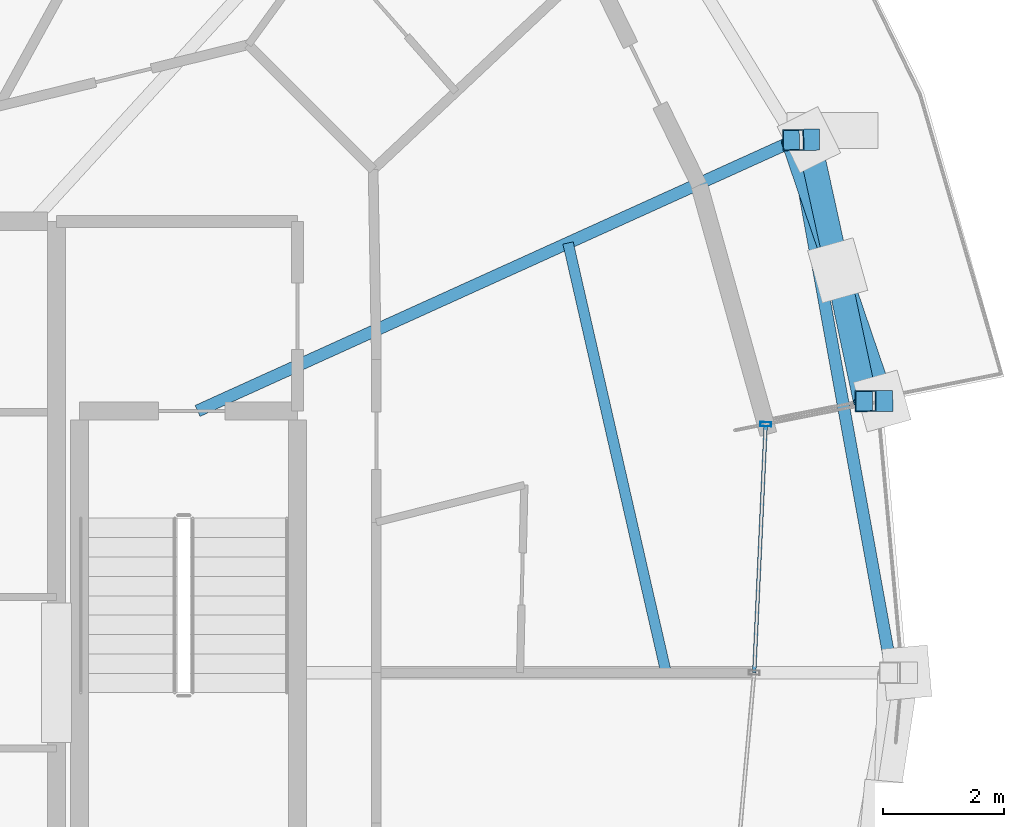
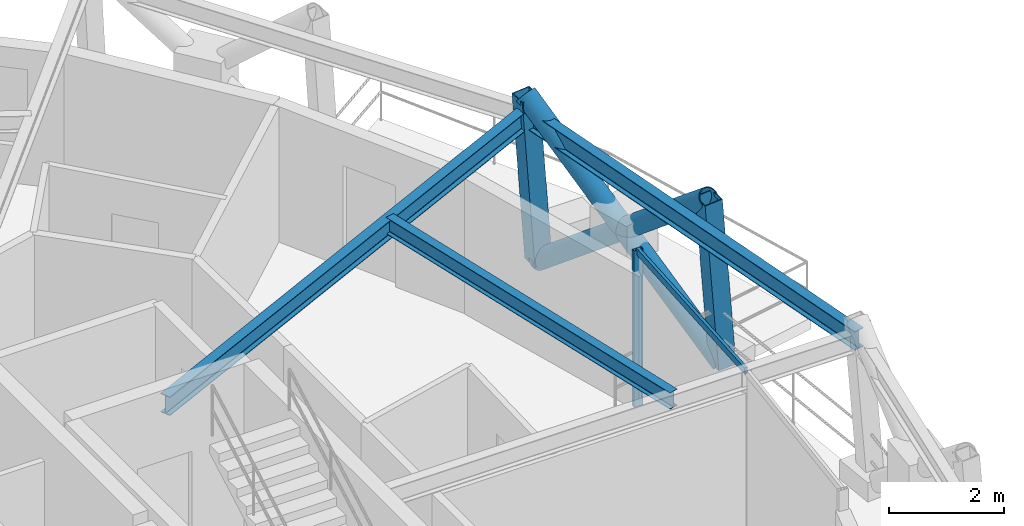
# One storey, part 4 of 12: 7 members, 3 beams, 1 element without a shape of its own.
"""IFC4 building model written with IfcOpenShell, lengths in metres."""

import ifcopenshell
import ifcopenshell.guid

model = None  # the IFC model being written
_history = None  # IfcOwnerHistory: only IFC2X3 demands one
_inside = {}  # id of a spatial element -> (the spatial element, [elements in it])
_under = {}  # id of a project, library or spatial element -> (it, [spatial elements below it])
_declared = {}  # id of a project -> (the project, [libraries it declares])
_typed = {}  # id of a type object -> (the type object, [elements of that type])
_made_of = {}  # id of a material, layer set ... -> (it, [elements and type objects made of it])


def new_model(schema):
    """Start an empty IFC model of exactly this schema.

    Asked for "IFC4X3", IfcOpenShell would pick the latest addendum, in which some entities
    have other attributes; the version numbers below select the first issue.
    IFC2X3 requires an IfcOwnerHistory on every rooted entity: one is made here for all.
    """
    global model, _history
    if schema == "IFC4X3":
        model = ifcopenshell.file(schema_version=(4, 3, 0, 0))
    else:
        model = ifcopenshell.file(schema=schema)
    _inside.clear()
    _under.clear()
    _declared.clear()
    _typed.clear()
    _made_of.clear()
    _history = None
    if model.schema == "IFC2X3":
        org = make("IfcOrganization", Name="unknown")
        user = make(
            "IfcPersonAndOrganization",
            ThePerson=make("IfcPerson", FamilyName="unknown"),
            TheOrganization=org,
        )
        app = make(
            "IfcApplication",
            ApplicationDeveloper=org,
            Version="unknown",
            ApplicationFullName="unknown",
            ApplicationIdentifier="unknown",
        )
        _history = make(
            "IfcOwnerHistory",
            OwningUser=user,
            OwningApplication=app,
            ChangeAction="ADDED",
            CreationDate=0,
        )
    return model


def make(cls, **values):
    """One entity of the class cls with the attributes given. An attribute that is None is left unset."""
    return model.create_entity(
        cls, **{name: value for name, value in values.items() if value is not None}
    )


def rooted(cls, **values):
    """An entity with a GlobalId (a new one), such as an element, a storey or a relation."""
    return make(cls, GlobalId=ifcopenshell.guid.new(), OwnerHistory=_history, **values)


def si_unit(unit_type, name, prefix=None):
    """IfcSIUnit, for example si_unit("LENGTHUNIT", "METRE", prefix="MILLI")."""
    return make("IfcSIUnit", UnitType=unit_type, Prefix=prefix, Name=name)


def assignment(units):
    """IfcUnitAssignment: the units of a project."""
    return None if units is None else make("IfcUnitAssignment", Units=units)


def point(xyz):
    """IfcCartesianPoint."""
    return None if xyz is None else make("IfcCartesianPoint", Coordinates=xyz)


def direction(xyz):
    """IfcDirection."""
    return None if xyz is None else make("IfcDirection", DirectionRatios=xyz)


def frame(location, z_axis=None, x_axis=None):
    """IfcAxis2Placement3D, a coordinate frame: its origin and axes. An axis left out is left unset."""
    return make(
        "IfcAxis2Placement3D",
        Location=point(location),
        Axis=direction(z_axis),
        RefDirection=direction(x_axis),
    )


def frame_2d(location, x_axis=None):
    """IfcAxis2Placement2D, a coordinate frame in the plane: its origin and x axis."""
    return make(
        "IfcAxis2Placement2D", Location=point(location), RefDirection=direction(x_axis)
    )


def origin():
    """The frame at (0, 0, 0) with its axes left unset."""
    return frame((0.0, 0.0, 0.0))


def origin_2d():
    """The frame at (0, 0) in the plane with its x axis left unset."""
    return frame_2d((0.0, 0.0))


def place(relative_to, where):
    """IfcLocalPlacement: puts the frame where relative to a parent placement (None: the world)."""
    return make(
        "IfcLocalPlacement", PlacementRelTo=relative_to, RelativePlacement=where
    )


def context(
    kind, dimensions, precision=None, world=None, true_north=None, identifier=None
):
    """IfcGeometricRepresentationContext, for example the 3D "Model" context."""
    return make(
        "IfcGeometricRepresentationContext",
        ContextIdentifier=identifier,
        ContextType=kind,
        CoordinateSpaceDimension=dimensions,
        Precision=precision,
        WorldCoordinateSystem=world,
        TrueNorth=true_north,
    )


def subcontext(parent, identifier, kind, view, scale=None):
    """IfcGeometricRepresentationSubContext, for example "Body" below "Model"."""
    return make(
        "IfcGeometricRepresentationSubContext",
        ContextIdentifier=identifier,
        ContextType=kind,
        ParentContext=parent,
        TargetScale=scale,
        TargetView=view,
    )


def project(units=None, contexts=None):
    """IfcProject with its units and contexts."""
    return rooted(
        "IfcProject",
        Name="project",
        RepresentationContexts=contexts,
        UnitsInContext=assignment(units),
    )


def spatial(cls, under=None, at=None, **own):
    """A site, building, storey or space (cls), placed at a placement, below another one or the project."""
    s = rooted(cls, ObjectPlacement=at, **own)
    if under is not None:
        _under.setdefault(under.id(), (under, []))[1].append(s)
    return s


def profile(cls, at=None, kind="AREA", **sizes):
    """A parametric profile (cls). Its sizes go by their IFC names, for example OverallWidth=200.0."""
    return make(cls, ProfileType=kind, Position=at, **sizes)


def hollow_rectangle(**sizes):
    """IfcRectangleHollowProfileDef."""
    return profile("IfcRectangleHollowProfileDef", **sizes)


def hollow_circle(**sizes):
    """IfcCircleHollowProfileDef."""
    return profile("IfcCircleHollowProfileDef", **sizes)


def i_section(**sizes):
    """IfcIShapeProfileDef."""
    return profile("IfcIShapeProfileDef", **sizes)


def extrude(swept, where, along, depth):
    """IfcExtrudedAreaSolid: the profile swept, set in the frame where, extruded along a direction by depth."""
    return make(
        "IfcExtrudedAreaSolid",
        SweptArea=swept,
        Position=where,
        ExtrudedDirection=direction(along),
        Depth=depth,
    )


def shape(context_of_items, identifier, shape_type, items):
    """IfcShapeRepresentation: the items that make up one representation, for example the "Body"."""
    return make(
        "IfcShapeRepresentation",
        ContextOfItems=context_of_items,
        RepresentationIdentifier=identifier,
        RepresentationType=shape_type,
        Items=items,
    )


def material(Name=None, Category=None):
    """IfcMaterial."""
    return make("IfcMaterial", Name=Name, Category=Category)


def layer(
    of_material, thickness, ventilated=None, Name=None, Category=None, Priority=None
):
    """IfcMaterialLayer: one layer of a wall or slab, of a material (None: an air gap)."""
    return make(
        "IfcMaterialLayer",
        Material=of_material,
        LayerThickness=thickness,
        IsVentilated=ventilated,
        Name=Name,
        Category=Category,
        Priority=Priority,
    )


def layer_set(layers, Name=None):
    """IfcMaterialLayerSet."""
    return make("IfcMaterialLayerSet", MaterialLayers=layers, LayerSetName=Name)


def material_profile(
    of_material, cross_section, Name=None, Category=None, Priority=None
):
    """IfcMaterialProfile: a cross section and its material."""
    return make(
        "IfcMaterialProfile",
        Name=Name,
        Material=of_material,
        Profile=cross_section,
        Priority=Priority,
        Category=Category,
    )


def profile_set(profiles, Name=None, composite=None):
    """IfcMaterialProfileSet."""
    return make(
        "IfcMaterialProfileSet",
        Name=Name,
        MaterialProfiles=profiles,
        CompositeProfile=composite,
    )


def made_of(thing, what):
    """Note that an element or type object is made of a material, layer set ...; save() writes the relation."""
    if what is not None:
        _made_of.setdefault(what.id(), (what, []))[1].append(thing)
    return thing


def type_object(cls, material=None, **own):
    """A type object (cls), such as IfcWallType, which elements share."""
    return made_of(rooted(cls, **own), material)


def element(
    cls,
    number,
    at=None,
    inside=None,
    cuts=None,
    type_object=None,
    material=None,
    context=None,
    identifier="Body",
    shape_type=None,
    held_by="IfcProductDefinitionShape",
    body=None,
    shapes=None,
    **own,
):
    """One element of the class cls, such as IfcWall. Its Tag is "e" and its number.

    at: its placement. inside: the storey or other place that contains it. cuts: it is an
    opening in that element (IfcRelVoidsElement). A single representation is given by context,
    identifier, shape_type and body (its items); several are given by shapes. held_by: the class
    of the entity that holds the representations. save() writes the other relations.
    """
    e = rooted(cls, Tag="e%d" % number, ObjectPlacement=at, **own)
    if body is not None:
        shapes = [shape(context, identifier, shape_type, body)]
    if shapes is not None:
        e.Representation = make(held_by, Representations=shapes)
    if inside is not None:
        _inside.setdefault(inside.id(), (inside, []))[1].append(e)
    if cuts is not None:
        rooted(
            "IfcRelVoidsElement", RelatingBuildingElement=cuts, RelatedOpeningElement=e
        )
    if type_object is not None:
        _typed.setdefault(type_object.id(), (type_object, []))[1].append(e)
    return made_of(e, material)


def aggregate(whole, parts):
    """IfcRelAggregates: a whole, such as a stair, and the parts it consists of."""
    return rooted("IfcRelAggregates", RelatingObject=whole, RelatedObjects=parts)


def save(model, path):
    """Write the relations noted so far, then the file.

    IfcRelAggregates (storeys below a building ...), IfcRelContainedInSpatialStructure (elements
    in a storey), IfcRelDefinesByType, IfcRelAssociatesMaterial and IfcRelDeclares: one each for
    every whole, place, type object, material and project.
    """
    for whole, parts in _under.values():
        aggregate(whole, parts)
    for where, things in _inside.values():
        rooted(
            "IfcRelContainedInSpatialStructure",
            RelatedElements=things,
            RelatingStructure=where,
        )
    for kind, things in _typed.values():
        rooted("IfcRelDefinesByType", RelatedObjects=things, RelatingType=kind)
    for what, things in _made_of.values():
        rooted("IfcRelAssociatesMaterial", RelatedObjects=things, RelatingMaterial=what)
    for by, libraries in _declared.values():
        rooted("IfcRelDeclares", RelatingContext=by, RelatedDefinitions=libraries)
    model.write(path)


model = new_model("IFC4")

# Units and contexts
model_context = context("Model", 3, precision=1e-05, world=origin(), true_north=direction((0.0, 1.0)))
body_context = subcontext(model_context, "Body", "Model", "MODEL_VIEW")
ifc_project = project(units=[si_unit("LENGTHUNIT", "METRE"), si_unit("AREAUNIT", "SQUARE_METRE"), si_unit("VOLUMEUNIT", "CUBIC_METRE"), si_unit("PLANEANGLEUNIT", "RADIAN"), si_unit("MASSUNIT", "GRAM", prefix="KILO")], contexts=[model_context])

# Site, building, storey
site_placement = place(None, origin())
site = spatial("IfcSite", under=ifc_project, at=site_placement, CompositionType="ELEMENT")
building_placement = place(site_placement, origin())
building = spatial("IfcBuilding", under=site, at=building_placement, Name="Veldorina Hangang Commons", CompositionType="ELEMENT")
storey_placement = place(building_placement, frame((0.0, 0.0, 272.39990234375)))
storey = spatial("IfcBuildingStorey", under=building, at=storey_placement, Name="L71", CompositionType="ELEMENT", Elevation=272.39990234375)

# Beams
ifc_material_1 = material(Name="Steel SM355-TMC", Category="steel")
ifc_material_profile_1 = material_profile(ifc_material_1, i_section(OverallWidth=0.199951171875, OverallDepth=0.39990234375, WebThickness=0.008056640625, FlangeThickness=0.012939453125, FilletRadius=0.012939453125, at=origin_2d()), Name="H-400x200x8x13")
ifc_profile_set_1 = profile_set([ifc_material_profile_1], Name="Steel SM355-TMC")
beam_type_1 = type_object("IfcBeamType", Name="BM-FG400", PredefinedType="BEAM", material=ifc_profile_set_1)
beam_1_placement = place(storey_placement, frame((41.5283203125, 28.320068359375, 3.16015625), z_axis=(0.910762117859, 0.412931428535, 0.0), x_axis=(-0.412931428535, 0.910762117859, 0.0)))
element("IfcBeam", 1, at=beam_1_placement, inside=storey, type_object=beam_type_1, Name="L71 radial floor girder 02", PredefinedType="BEAM", context=body_context, shape_type="SweptSolid", body=[
    extrude(i_section(OverallWidth=0.199951171875, OverallDepth=0.39990234375, WebThickness=0.008056640625, FlangeThickness=0.012939453125, FilletRadius=0.012939453125, at=origin_2d()), origin(), (0.0, 0.0, 1.0), 10.82958984375),
])
ifc_material_profile_2 = material_profile(ifc_material_1, i_section(OverallWidth=0.175048828125, OverallDepth=0.35009765625, WebThickness=0.007080078125, FlangeThickness=0.010986328125, FilletRadius=0.012939453125, at=origin_2d()), Name="H-350x175x7x11")
ifc_profile_set_2 = profile_set([ifc_material_profile_2], Name="Steel SM355-TMC")
beam_type_2 = type_object("IfcBeamType", Name="BM-JST350", PredefinedType="JOIST", material=ifc_profile_set_2)
beam_2_placement = place(storey_placement, frame((49.26171875, 24.0, 3.18505859375), z_axis=(-0.222434770679, 0.974947574382, 0.0), x_axis=(-0.974947574382, -0.222434770679, 0.0)))
element("IfcBeam", 2, at=beam_2_placement, inside=storey, type_object=beam_type_2, Name="L71 secondary floor joist 01", PredefinedType="JOIST", context=body_context, shape_type="SweptSolid", body=[
    extrude(i_section(OverallWidth=0.175048828125, OverallDepth=0.35009765625, WebThickness=0.007080078125, FlangeThickness=0.010986328125, FilletRadius=0.012939453125, at=origin_2d()), origin(), (0.0, 0.0, 1.0), 7.274658203125),
])
ifc_material_profile_3 = material_profile(ifc_material_1, i_section(OverallWidth=0.199951171875, OverallDepth=0.39990234375, WebThickness=0.008056640625, FlangeThickness=0.012939453125, FilletRadius=0.012939453125, at=origin_2d()), Name="H-400x200x8x13")
ifc_profile_set_3 = profile_set([ifc_material_profile_3], Name="Steel SM355-TMC")
beam_type_3 = type_object("IfcBeamType", Name="BM-RB400", PredefinedType="BEAM", material=ifc_profile_set_3)
beam_3_placement = place(storey_placement, frame((52.9892578125, 24.0, 3.16015625), z_axis=(-0.178789267079, 0.983887390903, 0.0), x_axis=(-0.983887390903, -0.178789267079, 0.0)))
element("IfcBeam", 3, at=beam_3_placement, inside=storey, type_object=beam_type_3, Name="L71 perimeter hoop ring beam 00", PredefinedType="BEAM", context=body_context, shape_type="SweptSolid", body=[
    extrude(i_section(OverallWidth=0.199951171875, OverallDepth=0.39990234375, WebThickness=0.008056640625, FlangeThickness=0.012939453125, FilletRadius=0.012939453125, at=origin_2d()), origin(), (0.0, 0.0, 1.0), 8.93603515625),
])

# Curtain wall, members
ifc_material_2 = material(Name="Glass Low-E Selective", Category="glass")
ifc_layer = layer(ifc_material_2, 0.179931640625)
ifc_layer_set = layer_set([ifc_layer], Name="Glass Low-E Selective")
curtain_wall_type = type_object("IfcCurtainWallType", Name="CW-SYS-Z3", PredefinedType="NOTDEFINED", material=ifc_layer_set)
curtain_wall_placement = place(storey_placement, origin())
curtain_wall = element("IfcCurtainWall", 4, at=curtain_wall_placement, inside=storey, type_object=curtain_wall_type, Name="L71 unitised curtain wall CW-L71-R2", PredefinedType="NOTDEFINED")
ifc_material_3 = material(Name="Aluminium Anodized AA6063-T6", Category="aluminium")
ifc_material_profile_4 = material_profile(ifc_material_3, hollow_rectangle(XDim=0.070068359375, YDim=0.179931640625, WallThickness=0.00390625, at=origin_2d()), Name="ALU-RHS-180x70x4")
ifc_profile_set_4 = profile_set([ifc_material_profile_4], Name="Aluminium Anodized AA6063-T6")
member_type_1 = type_object("IfcMemberType", Name="CW-MUL-180", PredefinedType="MULLION", material=ifc_profile_set_4)
member_1_placement = place(storey_placement, frame((50.906005859375, 28.101806640625, 0.0), z_axis=(0.0, 0.0, 1.0), x_axis=(-0.046182433077, -0.998933022217, 0.0)))
member_1 = element("IfcMember", 5, at=member_1_placement, type_object=member_type_1, Name="CW-L71-R2 vertical mullion 3", PredefinedType="MULLION", context=body_context, shape_type="SweptSolid", body=[
    extrude(hollow_rectangle(XDim=0.070068359375, YDim=0.179931640625, WallThickness=0.00390625, at=origin_2d()), origin(), (0.0, 0.0, 1.0), 3.320068359375),
])
ifc_material_profile_5 = material_profile(ifc_material_3, hollow_rectangle(XDim=0.06005859375, YDim=0.139892578125, WallThickness=0.00341796875, at=origin_2d()), Name="ALU-RHS-140x60x3.5")
ifc_profile_set_5 = profile_set([ifc_material_profile_5], Name="Aluminium Anodized AA6063-T6")
member_type_2 = type_object("IfcMemberType", Name="CW-TRN-140", PredefinedType="USERDEFINED", material=ifc_profile_set_5)
member_2_placement = place(storey_placement, frame((50.71630859375, 24.0, 3.280029296875), z_axis=(0.046197869393, 0.998932308449, 0.0), x_axis=(-0.998932308449, 0.046197869393, 0.0)))
member_2 = element("IfcMember", 6, at=member_2_placement, type_object=member_type_2, Name="CW-L71-R2 facet 2 transom 1", ObjectType="TRANSOM", PredefinedType="USERDEFINED", context=body_context, shape_type="SweptSolid", body=[
    extrude(hollow_rectangle(XDim=0.06005859375, YDim=0.139892578125, WallThickness=0.00341796875, at=origin_2d()), origin(), (0.0, 0.0, 1.0), 4.106201171875),
])
aggregate(curtain_wall, [member_1, member_2])

# Members
ifc_material_profile_6 = material_profile(ifc_material_1, hollow_circle(Radius=0.199951171875, WallThickness=0.02001953125, at=origin_2d()), Name="CHS-400x20")
ifc_profile_set_6 = profile_set([ifc_material_profile_6], Name="Steel SM355-TMC")
member_type_3 = type_object("IfcMemberType", Name="DG-CHS400", PredefinedType="BRACE", material=ifc_profile_set_6)
member_3_placement = place(storey_placement, frame((52.828369140625, 28.484130859375, 0.0), z_axis=(-0.25308321058, 0.742293267009, 0.620443062879), x_axis=(-0.946499015633, -0.322706698732, 0.0)))
element("IfcMember", 7, at=member_3_placement, inside=storey, type_object=member_type_3, Name="L71 continuous perimeter diagrid brace 01", PredefinedType="BRACE", context=body_context, shape_type="SweptSolid", body=[
    extrude(hollow_circle(Radius=0.199951171875, WallThickness=0.02001953125, at=origin_2d()), origin(), (0.0, 0.0, 1.0), 5.802490234375),
])
member_4_placement = place(storey_placement, frame((51.619873046875, 32.7958984375, 0.0), z_axis=(0.166210009638, -0.75676959543, 0.632197763464), x_axis=(0.976720050294, 0.214517932477, 0.0)))
element("IfcMember", 8, at=member_4_placement, inside=storey, type_object=member_type_3, Name="L71 split perimeter diagrid lower brace 02", PredefinedType="BRACE", context=body_context, shape_type="SweptSolid", body=[
    extrude(hollow_circle(Radius=0.199951171875, WallThickness=0.02001953125, at=origin_2d()), origin(), (0.0, 0.0, 1.0), 2.849609375),
])
member_5_placement = place(storey_placement, frame((52.093505859375, 30.639404296875, 1.801513671875), z_axis=(0.161174140778, -0.758093164554, 0.631915856899), x_axis=(0.978138031532, 0.207956705278, 0.0)))
element("IfcMember", 9, at=member_5_placement, inside=storey, type_object=member_type_3, Name="L71 split perimeter diagrid upper brace 02", PredefinedType="BRACE", context=body_context, shape_type="SweptSolid", body=[
    extrude(hollow_circle(Radius=0.199951171875, WallThickness=0.02001953125, at=origin_2d()), origin(), (0.0, 0.0, 1.0), 2.84619140625),
])
ifc_material_profile_7 = material_profile(ifc_material_1, hollow_rectangle(XDim=0.35009765625, YDim=0.35009765625, WallThickness=0.01611328125, at=origin_2d()), Name="SHS-350x350x16")
ifc_profile_set_7 = profile_set([ifc_material_profile_7], Name="Steel SM355-TMC")
member_type_4 = type_object("IfcMemberType", Name="STR-SHS350", PredefinedType="STRUT", material=ifc_profile_set_7)
member_6_placement = place(storey_placement, frame((52.828369140625, 28.484130859375, 0.0), z_axis=(-0.076474140834, -0.000676163933, 0.997071335756), x_axis=(0.008841387393, -0.999960914171, 0.0)))
element("IfcMember", 10, at=member_6_placement, inside=storey, type_object=member_type_4, Name="L71 perimeter ring node post 01", PredefinedType="STRUT", context=body_context, shape_type="SweptSolid", body=[
    extrude(hollow_rectangle(XDim=0.35009765625, YDim=0.35009765625, WallThickness=0.01611328125, at=origin_2d()), origin(), (0.0, 0.0, 1.0), 3.610595703125),
])
member_7_placement = place(storey_placement, frame((51.619873046875, 32.7958984375, 0.0), z_axis=(-0.072035286713, -0.00128513657, 0.997401256211), x_axis=(0.017837537156, -0.999840898477, 0.0)))
element("IfcMember", 11, at=member_7_placement, inside=storey, type_object=member_type_4, Name="L71 perimeter ring node post 02", PredefinedType="STRUT", context=body_context, shape_type="SweptSolid", body=[
    extrude(hollow_rectangle(XDim=0.35009765625, YDim=0.35009765625, WallThickness=0.01611328125, at=origin_2d()), origin(), (0.0, 0.0, 1.0), 3.609375),
])

save(model, "model.ifc")
